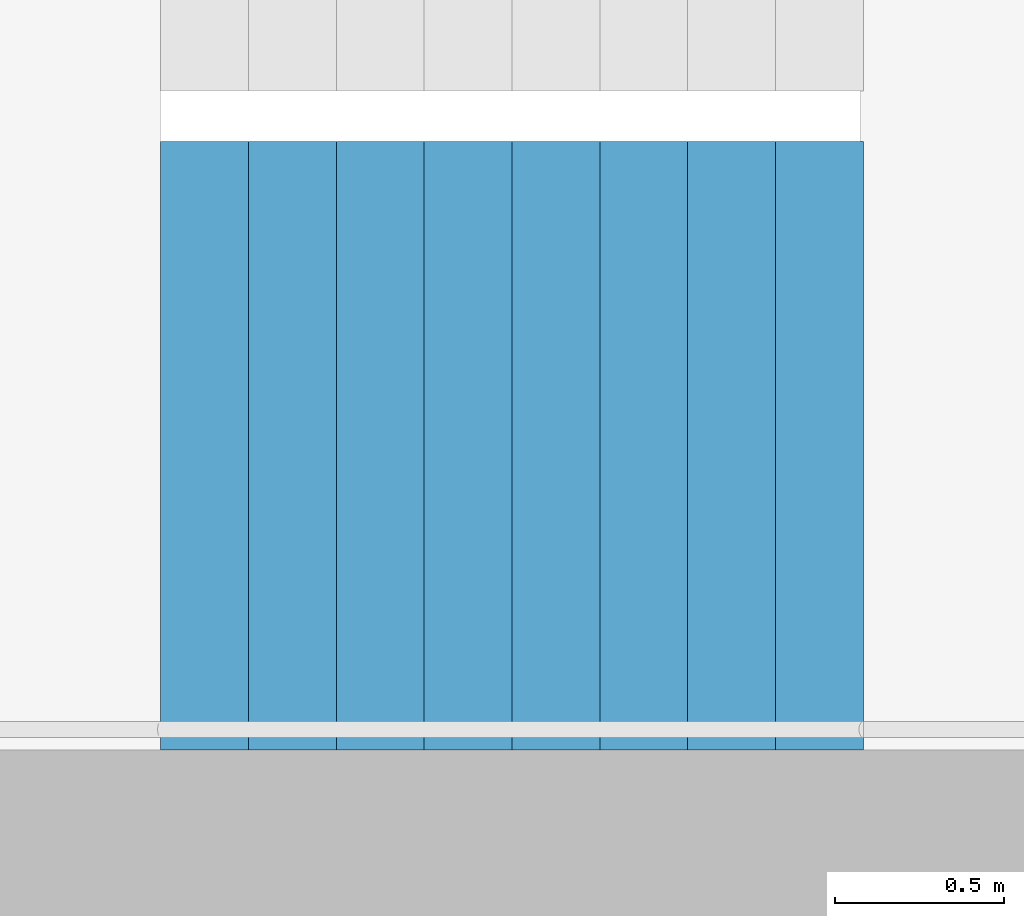
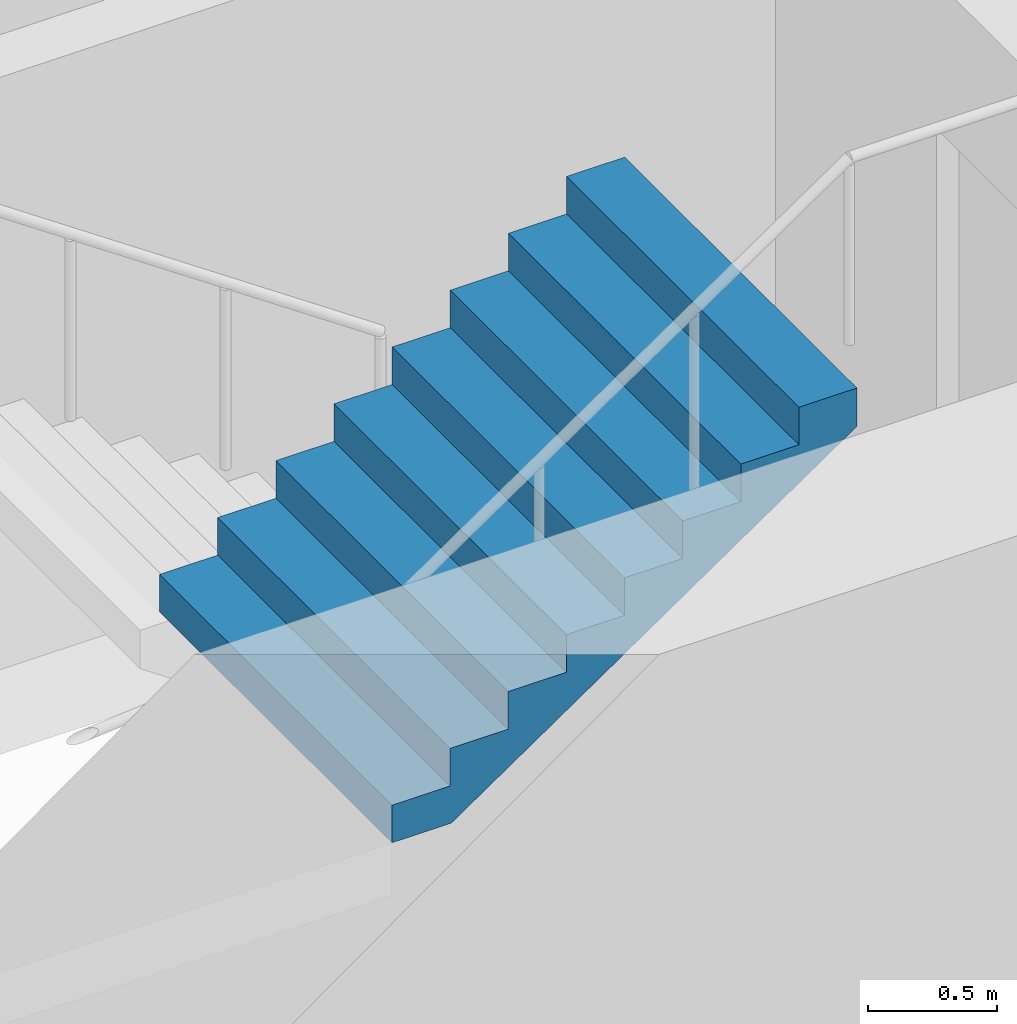
# One storey, part 20 of 28: 1 stair flight, 1 element without a shape of its own.
"""IFC4 building model written with IfcOpenShell, lengths in metres."""

import ifcopenshell
import ifcopenshell.guid

model = None  # the IFC model being written
_history = None  # IfcOwnerHistory: only IFC2X3 demands one
_inside = {}  # id of a spatial element -> (the spatial element, [elements in it])
_under = {}  # id of a project, library or spatial element -> (it, [spatial elements below it])
_declared = {}  # id of a project -> (the project, [libraries it declares])
_typed = {}  # id of a type object -> (the type object, [elements of that type])
_made_of = {}  # id of a material, layer set ... -> (it, [elements and type objects made of it])


def new_model(schema):
    """Start an empty IFC model of exactly this schema.

    Asked for "IFC4X3", IfcOpenShell would pick the latest addendum, in which some entities
    have other attributes; the version numbers below select the first issue.
    IFC2X3 requires an IfcOwnerHistory on every rooted entity: one is made here for all.
    """
    global model, _history
    if schema == "IFC4X3":
        model = ifcopenshell.file(schema_version=(4, 3, 0, 0))
    else:
        model = ifcopenshell.file(schema=schema)
    _inside.clear()
    _under.clear()
    _declared.clear()
    _typed.clear()
    _made_of.clear()
    _history = None
    if model.schema == "IFC2X3":
        org = make("IfcOrganization", Name="unknown")
        user = make(
            "IfcPersonAndOrganization",
            ThePerson=make("IfcPerson", FamilyName="unknown"),
            TheOrganization=org,
        )
        app = make(
            "IfcApplication",
            ApplicationDeveloper=org,
            Version="unknown",
            ApplicationFullName="unknown",
            ApplicationIdentifier="unknown",
        )
        _history = make(
            "IfcOwnerHistory",
            OwningUser=user,
            OwningApplication=app,
            ChangeAction="ADDED",
            CreationDate=0,
        )
    return model


def make(cls, **values):
    """One entity of the class cls with the attributes given. An attribute that is None is left unset."""
    return model.create_entity(
        cls, **{name: value for name, value in values.items() if value is not None}
    )


def rooted(cls, **values):
    """An entity with a GlobalId (a new one), such as an element, a storey or a relation."""
    return make(cls, GlobalId=ifcopenshell.guid.new(), OwnerHistory=_history, **values)


def si_unit(unit_type, name, prefix=None):
    """IfcSIUnit, for example si_unit("LENGTHUNIT", "METRE", prefix="MILLI")."""
    return make("IfcSIUnit", UnitType=unit_type, Prefix=prefix, Name=name)


def assignment(units):
    """IfcUnitAssignment: the units of a project."""
    return None if units is None else make("IfcUnitAssignment", Units=units)


def point(xyz):
    """IfcCartesianPoint."""
    return None if xyz is None else make("IfcCartesianPoint", Coordinates=xyz)


def direction(xyz):
    """IfcDirection."""
    return None if xyz is None else make("IfcDirection", DirectionRatios=xyz)


def frame(location, z_axis=None, x_axis=None):
    """IfcAxis2Placement3D, a coordinate frame: its origin and axes. An axis left out is left unset."""
    return make(
        "IfcAxis2Placement3D",
        Location=point(location),
        Axis=direction(z_axis),
        RefDirection=direction(x_axis),
    )


def origin():
    """The frame at (0, 0, 0) with its axes left unset."""
    return frame((0.0, 0.0, 0.0))


def place(relative_to, where):
    """IfcLocalPlacement: puts the frame where relative to a parent placement (None: the world)."""
    return make(
        "IfcLocalPlacement", PlacementRelTo=relative_to, RelativePlacement=where
    )


def context(
    kind, dimensions, precision=None, world=None, true_north=None, identifier=None
):
    """IfcGeometricRepresentationContext, for example the 3D "Model" context."""
    return make(
        "IfcGeometricRepresentationContext",
        ContextIdentifier=identifier,
        ContextType=kind,
        CoordinateSpaceDimension=dimensions,
        Precision=precision,
        WorldCoordinateSystem=world,
        TrueNorth=true_north,
    )


def subcontext(parent, identifier, kind, view, scale=None):
    """IfcGeometricRepresentationSubContext, for example "Body" below "Model"."""
    return make(
        "IfcGeometricRepresentationSubContext",
        ContextIdentifier=identifier,
        ContextType=kind,
        ParentContext=parent,
        TargetScale=scale,
        TargetView=view,
    )


def project(units=None, contexts=None):
    """IfcProject with its units and contexts."""
    return rooted(
        "IfcProject",
        Name="project",
        RepresentationContexts=contexts,
        UnitsInContext=assignment(units),
    )


def spatial(cls, under=None, at=None, **own):
    """A site, building, storey or space (cls), placed at a placement, below another one or the project."""
    s = rooted(cls, ObjectPlacement=at, **own)
    if under is not None:
        _under.setdefault(under.id(), (under, []))[1].append(s)
    return s


def point_list(points):
    """IfcCartesianPointList2D or 3D."""
    cls = (
        "IfcCartesianPointList2D" if len(points[0]) == 2 else "IfcCartesianPointList3D"
    )
    return make(cls, CoordList=points)


def triangles(points, corners, closed=None, point_numbers=None):
    """IfcTriangulatedFaceSet: each triangle names its three corners, points numbered from 1."""
    return make(
        "IfcTriangulatedFaceSet",
        Coordinates=point_list(points),
        Closed=closed,
        CoordIndex=corners,
        PnIndex=point_numbers,
    )


def shape(context_of_items, identifier, shape_type, items):
    """IfcShapeRepresentation: the items that make up one representation, for example the "Body"."""
    return make(
        "IfcShapeRepresentation",
        ContextOfItems=context_of_items,
        RepresentationIdentifier=identifier,
        RepresentationType=shape_type,
        Items=items,
    )


def material(Name=None, Category=None):
    """IfcMaterial."""
    return make("IfcMaterial", Name=Name, Category=Category)


def made_of(thing, what):
    """Note that an element or type object is made of a material, layer set ...; save() writes the relation."""
    if what is not None:
        _made_of.setdefault(what.id(), (what, []))[1].append(thing)
    return thing


def type_object(cls, material=None, **own):
    """A type object (cls), such as IfcWallType, which elements share."""
    return made_of(rooted(cls, **own), material)


def element(
    cls,
    number,
    at=None,
    inside=None,
    cuts=None,
    type_object=None,
    material=None,
    context=None,
    identifier="Body",
    shape_type=None,
    held_by="IfcProductDefinitionShape",
    body=None,
    shapes=None,
    **own,
):
    """One element of the class cls, such as IfcWall. Its Tag is "e" and its number.

    at: its placement. inside: the storey or other place that contains it. cuts: it is an
    opening in that element (IfcRelVoidsElement). A single representation is given by context,
    identifier, shape_type and body (its items); several are given by shapes. held_by: the class
    of the entity that holds the representations. save() writes the other relations.
    """
    e = rooted(cls, Tag="e%d" % number, ObjectPlacement=at, **own)
    if body is not None:
        shapes = [shape(context, identifier, shape_type, body)]
    if shapes is not None:
        e.Representation = make(held_by, Representations=shapes)
    if inside is not None:
        _inside.setdefault(inside.id(), (inside, []))[1].append(e)
    if cuts is not None:
        rooted(
            "IfcRelVoidsElement", RelatingBuildingElement=cuts, RelatedOpeningElement=e
        )
    if type_object is not None:
        _typed.setdefault(type_object.id(), (type_object, []))[1].append(e)
    return made_of(e, material)


def aggregate(whole, parts):
    """IfcRelAggregates: a whole, such as a stair, and the parts it consists of."""
    return rooted("IfcRelAggregates", RelatingObject=whole, RelatedObjects=parts)


def save(model, path):
    """Write the relations noted so far, then the file.

    IfcRelAggregates (storeys below a building ...), IfcRelContainedInSpatialStructure (elements
    in a storey), IfcRelDefinesByType, IfcRelAssociatesMaterial and IfcRelDeclares: one each for
    every whole, place, type object, material and project.
    """
    for whole, parts in _under.values():
        aggregate(whole, parts)
    for where, things in _inside.values():
        rooted(
            "IfcRelContainedInSpatialStructure",
            RelatedElements=things,
            RelatingStructure=where,
        )
    for kind, things in _typed.values():
        rooted("IfcRelDefinesByType", RelatedObjects=things, RelatingType=kind)
    for what, things in _made_of.values():
        rooted("IfcRelAssociatesMaterial", RelatedObjects=things, RelatingMaterial=what)
    for by, libraries in _declared.values():
        rooted("IfcRelDeclares", RelatingContext=by, RelatedDefinitions=libraries)
    model.write(path)


model = new_model("IFC4")

# Units and contexts
model_context = context("Model", 3, precision=1e-05, world=origin(), true_north=direction((0.0, 1.0)))
body_context = subcontext(model_context, "Body", "Model", "MODEL_VIEW")
ifc_project = project(units=[si_unit("LENGTHUNIT", "METRE"), si_unit("AREAUNIT", "SQUARE_METRE"), si_unit("VOLUMEUNIT", "CUBIC_METRE"), si_unit("PLANEANGLEUNIT", "RADIAN"), si_unit("MASSUNIT", "GRAM", prefix="KILO")], contexts=[model_context])

# Site, building, storey
site_placement = place(None, origin())
site = spatial("IfcSite", under=ifc_project, at=site_placement, CompositionType="ELEMENT")
building_placement = place(site_placement, origin())
building = spatial("IfcBuilding", under=site, at=building_placement, Name="Hakoniwa Tower and Hamabe Station Hall", CompositionType="ELEMENT")
storey_placement = place(building_placement, frame((0.0, 0.0, 35.800048828125)))
storey = spatial("IfcBuildingStorey", under=building, at=storey_placement, Name="L09", CompositionType="ELEMENT", Elevation=35.800048828125)

# Stair, stair flight
ifc_material_1 = material(Name="Concrete C40", Category="concrete")
stair_type = type_object("IfcStairType", Name="ESCAPE STAIR 1800", PredefinedType="HALF_TURN_STAIR", material=ifc_material_1)
stair_placement = place(storey_placement, origin())
stair = element("IfcStair", 1, at=stair_placement, inside=storey, type_object=stair_type, Name="Escape stair ST-2 L09", PredefinedType="HALF_TURN_STAIR")
ifc_material_2 = material(Name="Concrete C40", Category="concrete")
stair_flight_type = type_object("IfcStairFlightType", Name="STAIR FLIGHT 1800", PredefinedType="STRAIGHT", material=ifc_material_2)
stair_flight_placement = place(storey_placement, frame((-25.47998046875, -6.60009765625, 1.599853515625), z_axis=(0.0, 0.0, 1.0), x_axis=(1.0, 0.0, 0.0)))
stair_flight = element("IfcStairFlight", 2, at=stair_flight_placement, type_object=stair_flight_type, Name="ST-2 flight 2", NumberOfRisers=9, NumberOfTreads=8, PredefinedType="STRAIGHT", RiserHeight=0.177777778, TreadLength=0.26, context=body_context, shape_type="Tessellation", body=[
    triangles([(0.0, 0.89990234375, 0.0), (0.260009765625, 0.89990234375, 0.0), (0.265625, 0.89990234375, 0.0), (0.52001953125, 0.89990234375, 0.174072265625), (0.780029296875, 0.89990234375, 0.351806640625), (1.0400390625, 0.89990234375, 0.529541015625), (1.300048828125, 0.89990234375, 0.707275390625), (1.56005859375, 0.89990234375, 0.885009765625), (1.820068359375, 0.89990234375, 1.062744140625), (2.080078125, 0.89990234375, 1.24072265625), (2.080078125, 0.89990234375, 1.422119140625), (1.820068359375, 0.89990234375, 1.422119140625), (1.820068359375, 0.89990234375, 1.244384765625), (1.56005859375, 0.89990234375, 1.244384765625), (1.56005859375, 0.89990234375, 1.066650390625), (1.300048828125, 0.89990234375, 1.066650390625), (1.300048828125, 0.89990234375, 0.888916015625), (1.0400390625, 0.89990234375, 0.888916015625), (1.0400390625, 0.89990234375, 0.711181640625), (0.780029296875, 0.89990234375, 0.711181640625), (0.780029296875, 0.89990234375, 0.533447265625), (0.52001953125, 0.89990234375, 0.533447265625), (0.52001953125, 0.89990234375, 0.35546875), (0.265625, 0.89990234375, 0.35546875), (0.260009765625, 0.89990234375, 0.35546875), (0.260009765625, 0.89990234375, 0.177734375), (0.0, 0.89990234375, 0.177734375), (0.0, 0.06005859375, 0.0), (0.260009765625, 0.06005859375, 0.0), (0.265625, 0.06005859375, 0.0), (0.52001953125, 0.06005859375, 0.174072265625), (0.780029296875, 0.06005859375, 0.351806640625), (1.0400390625, 0.06005859375, 0.529541015625), (1.300048828125, 0.06005859375, 0.707275390625), (1.56005859375, 0.06005859375, 0.885009765625), (1.820068359375, 0.06005859375, 1.062744140625), (2.080078125, 0.06005859375, 1.24072265625), (2.080078125, 0.06005859375, 1.422119140625), (1.820068359375, 0.06005859375, 1.422119140625), (1.820068359375, 0.06005859375, 1.244384765625), (1.56005859375, 0.06005859375, 1.244384765625), (1.56005859375, 0.06005859375, 1.066650390625), (1.300048828125, 0.06005859375, 1.066650390625), (1.300048828125, 0.06005859375, 0.888916015625), (1.0400390625, 0.06005859375, 0.888916015625), (1.0400390625, 0.06005859375, 0.711181640625), (0.780029296875, 0.06005859375, 0.711181640625), (0.780029296875, 0.06005859375, 0.533447265625), (0.52001953125, 0.06005859375, 0.533447265625), (0.52001953125, 0.06005859375, 0.35546875), (0.265625, 0.06005859375, 0.35546875), (0.260009765625, 0.06005859375, 0.35546875), (0.260009765625, 0.06005859375, 0.177734375), (0.0, 0.06005859375, 0.177734375), (0.0, 0.04296875, 0.0), (0.260009765625, 0.04296875, 0.0), (0.265625, 0.04296875, 0.0), (0.52001953125, 0.04296875, 0.174072265625), (0.780029296875, 0.04296875, 0.351806640625), (1.0400390625, 0.04296875, 0.529541015625), (1.300048828125, 0.04296875, 0.707275390625), (1.56005859375, 0.04296875, 0.885009765625), (1.820068359375, 0.04296875, 1.062744140625), (2.080078125, 0.04296875, 1.24072265625), (2.080078125, 0.04296875, 1.422119140625), (1.820068359375, 0.04296875, 1.422119140625), (1.820068359375, 0.04296875, 1.244384765625), (1.56005859375, 0.04296875, 1.244384765625), (1.56005859375, 0.04296875, 1.066650390625), (1.300048828125, 0.04296875, 1.066650390625), (1.300048828125, 0.04296875, 0.888916015625), (1.0400390625, 0.04296875, 0.888916015625), (1.0400390625, 0.04296875, 0.711181640625), (0.780029296875, 0.04296875, 0.711181640625), (0.780029296875, 0.04296875, 0.533447265625), (0.52001953125, 0.04296875, 0.533447265625), (0.52001953125, 0.04296875, 0.35546875), (0.265625, 0.04296875, 0.35546875), (0.260009765625, 0.04296875, 0.35546875), (0.260009765625, 0.04296875, 0.177734375), (0.0, 0.04296875, 0.177734375), (0.0, 0.025634765625, 0.0), (0.260009765625, 0.025634765625, 0.0), (0.265625, 0.025634765625, 0.0), (0.52001953125, 0.025634765625, 0.174072265625), (0.780029296875, 0.025634765625, 0.351806640625), (1.0400390625, 0.025634765625, 0.529541015625), (1.300048828125, 0.025634765625, 0.707275390625), (1.56005859375, 0.025634765625, 0.885009765625), (1.820068359375, 0.025634765625, 1.062744140625), (2.080078125, 0.025634765625, 1.24072265625), (2.080078125, 0.025634765625, 1.422119140625), (1.820068359375, 0.025634765625, 1.422119140625), (1.820068359375, 0.025634765625, 1.244384765625), (1.56005859375, 0.025634765625, 1.244384765625), (1.56005859375, 0.025634765625, 1.066650390625), (1.300048828125, 0.025634765625, 1.066650390625), (1.300048828125, 0.025634765625, 0.888916015625), (1.0400390625, 0.025634765625, 0.888916015625), (1.0400390625, 0.025634765625, 0.711181640625), (0.780029296875, 0.025634765625, 0.711181640625), (0.780029296875, 0.025634765625, 0.533447265625), (0.52001953125, 0.025634765625, 0.533447265625), (0.52001953125, 0.025634765625, 0.35546875), (0.265625, 0.025634765625, 0.35546875), (0.260009765625, 0.025634765625, 0.35546875), (0.260009765625, 0.025634765625, 0.177734375), (0.0, 0.025634765625, 0.177734375), (0.0, 0.008544921875, 0.0), (0.260009765625, 0.008544921875, 0.0), (0.265625, 0.008544921875, 0.0), (0.52001953125, 0.008544921875, 0.174072265625), (0.780029296875, 0.008544921875, 0.351806640625), (1.0400390625, 0.008544921875, 0.529541015625), (1.300048828125, 0.008544921875, 0.707275390625), (1.56005859375, 0.008544921875, 0.885009765625), (1.820068359375, 0.008544921875, 1.062744140625), (2.080078125, 0.008544921875, 1.24072265625), (2.080078125, 0.008544921875, 1.422119140625), (1.820068359375, 0.008544921875, 1.422119140625), (1.820068359375, 0.008544921875, 1.244384765625), (1.56005859375, 0.008544921875, 1.244384765625), (1.56005859375, 0.008544921875, 1.066650390625), (1.300048828125, 0.008544921875, 1.066650390625), (1.300048828125, 0.008544921875, 0.888916015625), (1.0400390625, 0.008544921875, 0.888916015625), (1.0400390625, 0.008544921875, 0.711181640625), (0.780029296875, 0.008544921875, 0.711181640625), (0.780029296875, 0.008544921875, 0.533447265625), (0.52001953125, 0.008544921875, 0.533447265625), (0.52001953125, 0.008544921875, 0.35546875), (0.265625, 0.008544921875, 0.35546875), (0.260009765625, 0.008544921875, 0.35546875), (0.260009765625, 0.008544921875, 0.177734375), (0.0, 0.008544921875, 0.177734375), (0.0, -0.008544921875, 0.0), (0.260009765625, -0.008544921875, 0.0), (0.265625, -0.008544921875, 0.0), (0.52001953125, -0.008544921875, 0.174072265625), (0.780029296875, -0.008544921875, 0.351806640625), (1.0400390625, -0.008544921875, 0.529541015625), (1.300048828125, -0.008544921875, 0.707275390625), (1.56005859375, -0.008544921875, 0.885009765625), (1.820068359375, -0.008544921875, 1.062744140625), (2.080078125, -0.008544921875, 1.24072265625), (2.080078125, -0.008544921875, 1.422119140625), (1.820068359375, -0.008544921875, 1.422119140625), (1.820068359375, -0.008544921875, 1.244384765625), (1.56005859375, -0.008544921875, 1.244384765625), (1.56005859375, -0.008544921875, 1.066650390625), (1.300048828125, -0.008544921875, 1.066650390625), (1.300048828125, -0.008544921875, 0.888916015625), (1.0400390625, -0.008544921875, 0.888916015625), (1.0400390625, -0.008544921875, 0.711181640625), (0.780029296875, -0.008544921875, 0.711181640625), (0.780029296875, -0.008544921875, 0.533447265625), (0.52001953125, -0.008544921875, 0.533447265625), (0.52001953125, -0.008544921875, 0.35546875), (0.265625, -0.008544921875, 0.35546875), (0.260009765625, -0.008544921875, 0.35546875), (0.260009765625, -0.008544921875, 0.177734375), (0.0, -0.008544921875, 0.177734375), (0.0, -0.025634765625, 0.0), (0.260009765625, -0.025634765625, 0.0), (0.265625, -0.025634765625, 0.0), (0.52001953125, -0.025634765625, 0.174072265625), (0.780029296875, -0.025634765625, 0.351806640625), (1.0400390625, -0.025634765625, 0.529541015625), (1.300048828125, -0.025634765625, 0.707275390625), (1.56005859375, -0.025634765625, 0.885009765625), (1.820068359375, -0.025634765625, 1.062744140625), (2.080078125, -0.025634765625, 1.24072265625), (2.080078125, -0.025634765625, 1.422119140625), (1.820068359375, -0.025634765625, 1.422119140625), (1.820068359375, -0.025634765625, 1.244384765625), (1.56005859375, -0.025634765625, 1.244384765625), (1.56005859375, -0.025634765625, 1.066650390625), (1.300048828125, -0.025634765625, 1.066650390625), (1.300048828125, -0.025634765625, 0.888916015625), (1.0400390625, -0.025634765625, 0.888916015625), (1.0400390625, -0.025634765625, 0.711181640625), (0.780029296875, -0.025634765625, 0.711181640625), (0.780029296875, -0.025634765625, 0.533447265625), (0.52001953125, -0.025634765625, 0.533447265625), (0.52001953125, -0.025634765625, 0.35546875), (0.265625, -0.025634765625, 0.35546875), (0.260009765625, -0.025634765625, 0.35546875), (0.260009765625, -0.025634765625, 0.177734375), (0.0, -0.025634765625, 0.177734375), (0.0, -0.04296875, 0.0), (0.260009765625, -0.04296875, 0.0), (0.265625, -0.04296875, 0.0), (0.52001953125, -0.04296875, 0.174072265625), (0.780029296875, -0.04296875, 0.351806640625), (1.0400390625, -0.04296875, 0.529541015625), (1.300048828125, -0.04296875, 0.707275390625), (1.56005859375, -0.04296875, 0.885009765625), (1.820068359375, -0.04296875, 1.062744140625), (2.080078125, -0.04296875, 1.24072265625), (2.080078125, -0.04296875, 1.422119140625), (1.820068359375, -0.04296875, 1.422119140625), (1.820068359375, -0.04296875, 1.244384765625), (1.56005859375, -0.04296875, 1.244384765625), (1.56005859375, -0.04296875, 1.066650390625), (1.300048828125, -0.04296875, 1.066650390625), (1.300048828125, -0.04296875, 0.888916015625), (1.0400390625, -0.04296875, 0.888916015625), (1.0400390625, -0.04296875, 0.711181640625), (0.780029296875, -0.04296875, 0.711181640625), (0.780029296875, -0.04296875, 0.533447265625), (0.52001953125, -0.04296875, 0.533447265625), (0.52001953125, -0.04296875, 0.35546875), (0.265625, -0.04296875, 0.35546875), (0.260009765625, -0.04296875, 0.35546875), (0.260009765625, -0.04296875, 0.177734375), (0.0, -0.04296875, 0.177734375), (0.0, -0.06005859375, 0.0), (0.260009765625, -0.06005859375, 0.0), (0.265625, -0.06005859375, 0.0), (0.52001953125, -0.06005859375, 0.174072265625), (0.780029296875, -0.06005859375, 0.351806640625), (1.0400390625, -0.06005859375, 0.529541015625), (1.300048828125, -0.06005859375, 0.707275390625), (1.56005859375, -0.06005859375, 0.885009765625), (1.820068359375, -0.06005859375, 1.062744140625), (2.080078125, -0.06005859375, 1.24072265625), (2.080078125, -0.06005859375, 1.422119140625), (1.820068359375, -0.06005859375, 1.422119140625), (1.820068359375, -0.06005859375, 1.244384765625), (1.56005859375, -0.06005859375, 1.244384765625), (1.56005859375, -0.06005859375, 1.066650390625), (1.300048828125, -0.06005859375, 1.066650390625), (1.300048828125, -0.06005859375, 0.888916015625), (1.0400390625, -0.06005859375, 0.888916015625), (1.0400390625, -0.06005859375, 0.711181640625), (0.780029296875, -0.06005859375, 0.711181640625), (0.780029296875, -0.06005859375, 0.533447265625), (0.52001953125, -0.06005859375, 0.533447265625), (0.52001953125, -0.06005859375, 0.35546875), (0.265625, -0.06005859375, 0.35546875), (0.260009765625, -0.06005859375, 0.35546875), (0.260009765625, -0.06005859375, 0.177734375), (0.0, -0.06005859375, 0.177734375), (0.0, -0.89990234375, 0.0), (0.260009765625, -0.89990234375, 0.0), (0.265625, -0.89990234375, 0.0), (0.52001953125, -0.89990234375, 0.174072265625), (0.780029296875, -0.89990234375, 0.351806640625), (1.0400390625, -0.89990234375, 0.529541015625), (1.300048828125, -0.89990234375, 0.707275390625), (1.56005859375, -0.89990234375, 0.885009765625), (1.820068359375, -0.89990234375, 1.062744140625), (2.080078125, -0.89990234375, 1.24072265625), (2.080078125, -0.89990234375, 1.422119140625), (1.820068359375, -0.89990234375, 1.422119140625), (1.820068359375, -0.89990234375, 1.244384765625), (1.56005859375, -0.89990234375, 1.244384765625), (1.56005859375, -0.89990234375, 1.066650390625), (1.300048828125, -0.89990234375, 1.066650390625), (1.300048828125, -0.89990234375, 0.888916015625), (1.0400390625, -0.89990234375, 0.888916015625), (1.0400390625, -0.89990234375, 0.711181640625), (0.780029296875, -0.89990234375, 0.711181640625), (0.780029296875, -0.89990234375, 0.533447265625), (0.52001953125, -0.89990234375, 0.533447265625), (0.52001953125, -0.89990234375, 0.35546875), (0.265625, -0.89990234375, 0.35546875), (0.260009765625, -0.89990234375, 0.35546875), (0.260009765625, -0.89990234375, 0.177734375), (0.0, -0.89990234375, 0.177734375)], [[2, 27, 26], [245, 269, 270], [2, 1, 27], [245, 270, 244], [3, 25, 24], [246, 267, 268], [3, 26, 25], [246, 268, 269], [3, 2, 26], [246, 269, 245], [4, 24, 23], [247, 266, 267], [4, 3, 24], [247, 267, 246], [5, 22, 21], [248, 264, 265], [5, 23, 22], [248, 265, 266], [5, 4, 23], [248, 266, 247], [6, 20, 19], [249, 262, 263], [6, 21, 20], [249, 263, 264], [6, 5, 21], [249, 264, 248], [7, 18, 17], [250, 260, 261], [7, 19, 18], [250, 261, 262], [7, 6, 19], [250, 262, 249], [8, 16, 15], [251, 258, 259], [8, 17, 16], [251, 259, 260], [8, 7, 17], [251, 260, 250], [9, 14, 13], [252, 256, 257], [9, 15, 14], [252, 257, 258], [9, 8, 15], [252, 258, 251], [10, 12, 11], [253, 254, 255], [10, 13, 12], [253, 255, 256], [10, 9, 13], [253, 256, 252], [1, 2, 29], [1, 29, 28], [28, 29, 56], [28, 56, 55], [55, 56, 83], [55, 83, 82], [82, 83, 110], [82, 110, 109], [109, 110, 137], [109, 137, 136], [136, 137, 164], [136, 164, 163], [163, 164, 191], [163, 191, 190], [190, 191, 218], [190, 218, 217], [217, 218, 245], [217, 245, 244], [2, 3, 30], [2, 30, 29], [29, 30, 57], [29, 57, 56], [56, 57, 84], [56, 84, 83], [83, 84, 111], [83, 111, 110], [110, 111, 138], [110, 138, 137], [137, 138, 165], [137, 165, 164], [164, 165, 192], [164, 192, 191], [191, 192, 219], [191, 219, 218], [218, 219, 246], [218, 246, 245], [3, 4, 31], [3, 31, 30], [30, 31, 58], [30, 58, 57], [57, 58, 85], [57, 85, 84], [84, 85, 112], [84, 112, 111], [111, 112, 139], [111, 139, 138], [138, 139, 166], [138, 166, 165], [165, 166, 193], [165, 193, 192], [192, 193, 220], [192, 220, 219], [219, 220, 247], [219, 247, 246], [4, 5, 32], [4, 32, 31], [31, 32, 59], [31, 59, 58], [58, 59, 86], [58, 86, 85], [85, 86, 113], [85, 113, 112], [112, 113, 140], [112, 140, 139], [139, 140, 167], [139, 167, 166], [166, 167, 194], [166, 194, 193], [193, 194, 221], [193, 221, 220], [220, 221, 248], [220, 248, 247], [5, 6, 33], [5, 33, 32], [32, 33, 60], [32, 60, 59], [59, 60, 87], [59, 87, 86], [86, 87, 114], [86, 114, 113], [113, 114, 141], [113, 141, 140], [140, 141, 168], [140, 168, 167], [167, 168, 195], [167, 195, 194], [194, 195, 222], [194, 222, 221], [221, 222, 249], [221, 249, 248], [6, 7, 34], [6, 34, 33], [33, 34, 61], [33, 61, 60], [60, 61, 88], [60, 88, 87], [87, 88, 115], [87, 115, 114], [114, 115, 142], [114, 142, 141], [141, 142, 169], [141, 169, 168], [168, 169, 196], [168, 196, 195], [195, 196, 223], [195, 223, 222], [222, 223, 250], [222, 250, 249], [7, 8, 35], [7, 35, 34], [34, 35, 62], [34, 62, 61], [61, 62, 89], [61, 89, 88], [88, 89, 116], [88, 116, 115], [115, 116, 143], [115, 143, 142], [142, 143, 170], [142, 170, 169], [169, 170, 197], [169, 197, 196], [196, 197, 224], [196, 224, 223], [223, 224, 251], [223, 251, 250], [8, 9, 36], [8, 36, 35], [35, 36, 63], [35, 63, 62], [62, 63, 90], [62, 90, 89], [89, 90, 117], [89, 117, 116], [116, 117, 144], [116, 144, 143], [143, 144, 171], [143, 171, 170], [170, 171, 198], [170, 198, 197], [197, 198, 225], [197, 225, 224], [224, 225, 252], [224, 252, 251], [9, 10, 37], [9, 37, 36], [36, 37, 64], [36, 64, 63], [63, 64, 91], [63, 91, 90], [90, 91, 118], [90, 118, 117], [117, 118, 145], [117, 145, 144], [144, 145, 172], [144, 172, 171], [171, 172, 199], [171, 199, 198], [198, 199, 226], [198, 226, 225], [225, 226, 253], [225, 253, 252], [10, 11, 38], [10, 38, 37], [37, 38, 65], [37, 65, 64], [64, 65, 92], [64, 92, 91], [91, 92, 119], [91, 119, 118], [118, 119, 146], [118, 146, 145], [145, 146, 173], [145, 173, 172], [172, 173, 200], [172, 200, 199], [199, 200, 227], [199, 227, 226], [226, 227, 254], [226, 254, 253], [11, 12, 39], [11, 39, 38], [38, 39, 66], [38, 66, 65], [65, 66, 93], [65, 93, 92], [92, 93, 120], [92, 120, 119], [119, 120, 147], [119, 147, 146], [146, 147, 174], [146, 174, 173], [173, 174, 201], [173, 201, 200], [200, 201, 228], [200, 228, 227], [227, 228, 255], [227, 255, 254], [12, 13, 40], [12, 40, 39], [39, 40, 67], [39, 67, 66], [66, 67, 94], [66, 94, 93], [93, 94, 121], [93, 121, 120], [120, 121, 148], [120, 148, 147], [147, 148, 175], [147, 175, 174], [174, 175, 202], [174, 202, 201], [201, 202, 229], [201, 229, 228], [228, 229, 256], [228, 256, 255], [13, 14, 41], [13, 41, 40], [40, 41, 68], [40, 68, 67], [67, 68, 95], [67, 95, 94], [94, 95, 122], [94, 122, 121], [121, 122, 149], [121, 149, 148], [148, 149, 176], [148, 176, 175], [175, 176, 203], [175, 203, 202], [202, 203, 230], [202, 230, 229], [229, 230, 257], [229, 257, 256], [14, 15, 42], [14, 42, 41], [41, 42, 69], [41, 69, 68], [68, 69, 96], [68, 96, 95], [95, 96, 123], [95, 123, 122], [122, 123, 150], [122, 150, 149], [149, 150, 177], [149, 177, 176], [176, 177, 204], [176, 204, 203], [203, 204, 231], [203, 231, 230], [230, 231, 258], [230, 258, 257], [15, 16, 43], [15, 43, 42], [42, 43, 70], [42, 70, 69], [69, 70, 97], [69, 97, 96], [96, 97, 124], [96, 124, 123], [123, 124, 151], [123, 151, 150], [150, 151, 178], [150, 178, 177], [177, 178, 205], [177, 205, 204], [204, 205, 232], [204, 232, 231], [231, 232, 259], [231, 259, 258], [16, 17, 44], [16, 44, 43], [43, 44, 71], [43, 71, 70], [70, 71, 98], [70, 98, 97], [97, 98, 125], [97, 125, 124], [124, 125, 152], [124, 152, 151], [151, 152, 179], [151, 179, 178], [178, 179, 206], [178, 206, 205], [205, 206, 233], [205, 233, 232], [232, 233, 260], [232, 260, 259], [17, 18, 45], [17, 45, 44], [44, 45, 72], [44, 72, 71], [71, 72, 99], [71, 99, 98], [98, 99, 126], [98, 126, 125], [125, 126, 153], [125, 153, 152], [152, 153, 180], [152, 180, 179], [179, 180, 207], [179, 207, 206], [206, 207, 234], [206, 234, 233], [233, 234, 261], [233, 261, 260], [18, 19, 46], [18, 46, 45], [45, 46, 73], [45, 73, 72], [72, 73, 100], [72, 100, 99], [99, 100, 127], [99, 127, 126], [126, 127, 154], [126, 154, 153], [153, 154, 181], [153, 181, 180], [180, 181, 208], [180, 208, 207], [207, 208, 235], [207, 235, 234], [234, 235, 262], [234, 262, 261], [19, 20, 47], [19, 47, 46], [46, 47, 74], [46, 74, 73], [73, 74, 101], [73, 101, 100], [100, 101, 128], [100, 128, 127], [127, 128, 155], [127, 155, 154], [154, 155, 182], [154, 182, 181], [181, 182, 209], [181, 209, 208], [208, 209, 236], [208, 236, 235], [235, 236, 263], [235, 263, 262], [20, 21, 48], [20, 48, 47], [47, 48, 75], [47, 75, 74], [74, 75, 102], [74, 102, 101], [101, 102, 129], [101, 129, 128], [128, 129, 156], [128, 156, 155], [155, 156, 183], [155, 183, 182], [182, 183, 210], [182, 210, 209], [209, 210, 237], [209, 237, 236], [236, 237, 264], [236, 264, 263], [21, 22, 49], [21, 49, 48], [48, 49, 76], [48, 76, 75], [75, 76, 103], [75, 103, 102], [102, 103, 130], [102, 130, 129], [129, 130, 157], [129, 157, 156], [156, 157, 184], [156, 184, 183], [183, 184, 211], [183, 211, 210], [210, 211, 238], [210, 238, 237], [237, 238, 265], [237, 265, 264], [22, 23, 50], [22, 50, 49], [49, 50, 77], [49, 77, 76], [76, 77, 104], [76, 104, 103], [103, 104, 131], [103, 131, 130], [130, 131, 158], [130, 158, 157], [157, 158, 185], [157, 185, 184], [184, 185, 212], [184, 212, 211], [211, 212, 239], [211, 239, 238], [238, 239, 266], [238, 266, 265], [23, 24, 51], [23, 51, 50], [50, 51, 78], [50, 78, 77], [77, 78, 105], [77, 105, 104], [104, 105, 132], [104, 132, 131], [131, 132, 159], [131, 159, 158], [158, 159, 186], [158, 186, 185], [185, 186, 213], [185, 213, 212], [212, 213, 240], [212, 240, 239], [239, 240, 267], [239, 267, 266], [24, 25, 52], [24, 52, 51], [51, 52, 79], [51, 79, 78], [78, 79, 106], [78, 106, 105], [105, 106, 133], [105, 133, 132], [132, 133, 160], [132, 160, 159], [159, 160, 187], [159, 187, 186], [186, 187, 214], [186, 214, 213], [213, 214, 241], [213, 241, 240], [240, 241, 268], [240, 268, 267], [25, 26, 53], [25, 53, 52], [52, 53, 80], [52, 80, 79], [79, 80, 107], [79, 107, 106], [106, 107, 134], [106, 134, 133], [133, 134, 161], [133, 161, 160], [160, 161, 188], [160, 188, 187], [187, 188, 215], [187, 215, 214], [214, 215, 242], [214, 242, 241], [241, 242, 269], [241, 269, 268], [26, 27, 54], [26, 54, 53], [53, 54, 81], [53, 81, 80], [80, 81, 108], [80, 108, 107], [107, 108, 135], [107, 135, 134], [134, 135, 162], [134, 162, 161], [161, 162, 189], [161, 189, 188], [188, 189, 216], [188, 216, 215], [215, 216, 243], [215, 243, 242], [242, 243, 270], [242, 270, 269], [27, 1, 28], [27, 28, 54], [54, 28, 55], [54, 55, 81], [81, 55, 82], [81, 82, 108], [108, 82, 109], [108, 109, 135], [135, 109, 136], [135, 136, 162], [162, 136, 163], [162, 163, 189], [189, 163, 190], [189, 190, 216], [216, 190, 217], [216, 217, 243], [243, 217, 244], [243, 244, 270]], closed=True),
])
aggregate(stair, [stair_flight])

save(model, "model.ifc")
